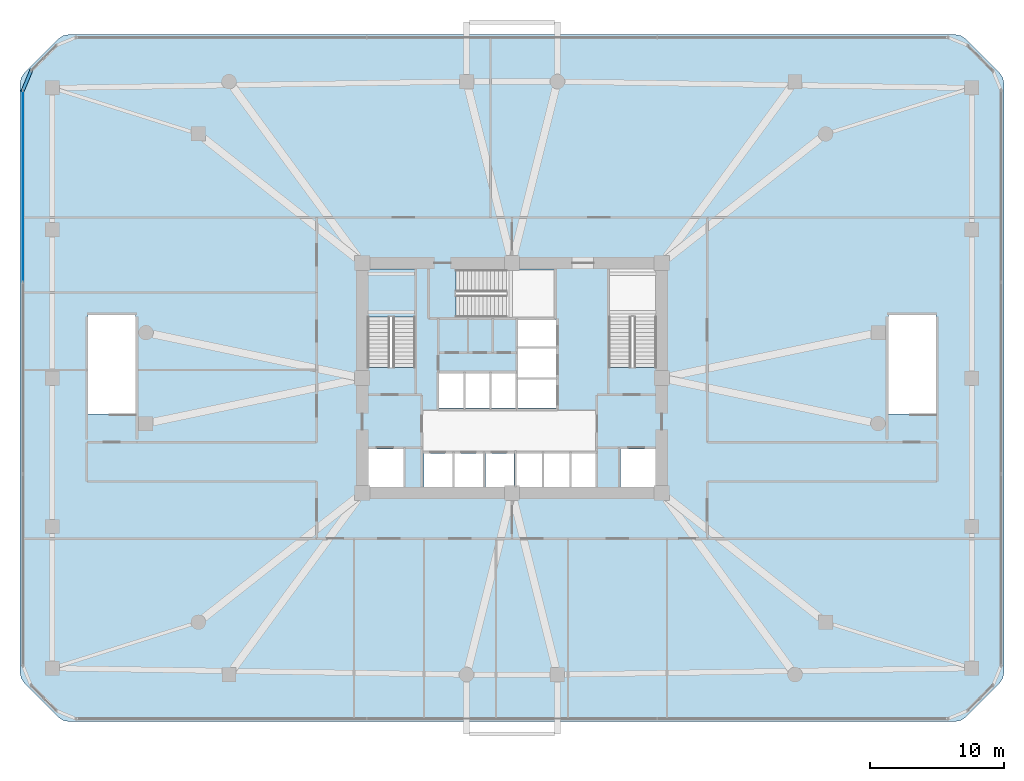
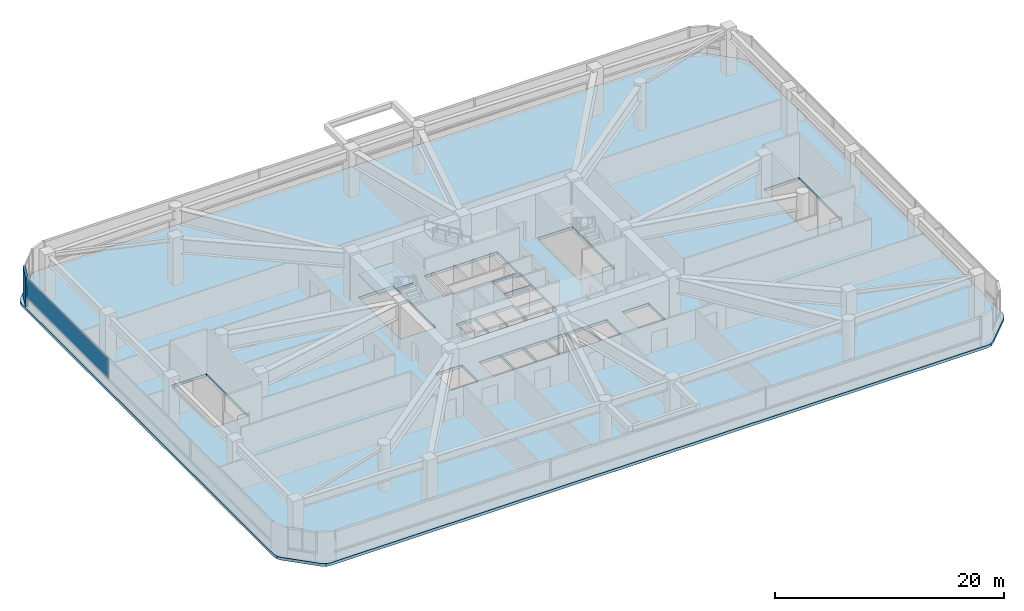
# One storey, part 13 of 21: 2 plates, 2 slabs, 2 elements without a shape of their own.
"""IFC4 building model written with IfcOpenShell, lengths in metres."""

from ifc_helpers import new_model, si_unit, derived_unit, direction, frame, origin, origin_2d, place, context, subcontext, project, spatial, polyline, rectangle, outline, extrude, material, layer, layer_set, type_object, element, aggregate, save


model = new_model("IFC4")

# Units and contexts
model_context = context("Model", 3, precision=1e-05, world=origin(), true_north=direction((0.0, 1.0)))
body_context = subcontext(model_context, "Body", "Model", "MODEL_VIEW")
ifc_project = project(units=[si_unit("LENGTHUNIT", "METRE"), si_unit("AREAUNIT", "SQUARE_METRE"), si_unit("VOLUMEUNIT", "CUBIC_METRE"), si_unit("PLANEANGLEUNIT", "RADIAN"), si_unit("MASSUNIT", "GRAM", prefix="KILO"), derived_unit("THERMALTRANSMITTANCEUNIT", [(si_unit("POWERUNIT", "WATT"), 1), (si_unit("LENGTHUNIT", "METRE"), -2), (si_unit("THERMODYNAMICTEMPERATUREUNIT", "KELVIN"), -1)])], contexts=[model_context])

# Site, building, storey
site_placement = place(None, origin())
site = spatial("IfcSite", under=ifc_project, at=site_placement, CompositionType="ELEMENT")
building_placement = place(site_placement, origin())
building = spatial("IfcBuilding", under=site, at=building_placement, Name="Koralith Skygarden Medical Center", CompositionType="ELEMENT")
storey_placement = place(building_placement, frame((0.0, 0.0, 18.89990234375)))
storey = spatial("IfcBuildingStorey", under=building, at=storey_placement, Name="L04", CompositionType="ELEMENT", Elevation=18.89990234375)

# Curtain wall, plate
ifc_material_1 = material(Name="Clear Laminated Glass", Category="glass")
curtain_wall_type = type_object("IfcCurtainWallType", Name="CW-1 Transit & Podium Acoustic Curtain Wall", PredefinedType="NOTDEFINED", material=ifc_material_1)
curtain_wall_placement = place(storey_placement, origin())
curtain_wall = element("IfcCurtainWall", 1, at=curtain_wall_placement, inside=storey, type_object=curtain_wall_type, Name="Curtain Wall CW-L04-W", PredefinedType="NOTDEFINED")
ifc_layer_1 = layer(ifc_material_1, 0.030029296875)
ifc_layer_set_1 = layer_set([ifc_layer_1], Name="Clear Laminated Glass")
plate_type_1 = type_object("IfcPlateType", Name="CW-1 Hurricane Laminated IGU Panel 30", PredefinedType="CURTAIN_PANEL", material=ifc_layer_set_1)
plate_1_placement = place(storey_placement, frame((0.419921875, 40.2470703125, 0.919921875), z_axis=(0.0, 0.0, 1.0), x_axis=(0.0, -1.0, 0.0)))
plate_1 = element("IfcPlate", 2, at=plate_1_placement, type_object=plate_type_1, Name="CW-L04-W Glazed Panel 1", PredefinedType="CURTAIN_PANEL", context=body_context, shape_type="SweptSolid", body=[
    extrude(rectangle(XDim=14.257080078125, YDim=0.030029296875, at=origin_2d()), origin(), (0.0, 0.0, 1.0), 2.159912109375),
])
aggregate(curtain_wall, [plate_1])

# Stair, slab
ifc_material_2 = material(Name="Concrete C45/55", Category="concrete")
stair_type = type_object("IfcStairType", Name="Core Exit Dogleg Concrete Stair", PredefinedType="HALF_TURN_STAIR", material=ifc_material_2)
stair_placement = place(storey_placement, origin())
stair = element("IfcStair", 3, at=stair_placement, inside=storey, type_object=stair_type, Name="L04 Smokeproof Exit Stair ST1", PredefinedType="HALF_TURN_STAIR")
ifc_layer_2 = layer(ifc_material_2, 0.199951171875)
ifc_layer_set_2 = layer_set([ifc_layer_2], Name="Concrete C45/55")
slab_type_1 = type_object("IfcSlabType", Name="Core Exit Concrete Stair Landing 200", PredefinedType="LANDING", material=ifc_layer_set_2)
slab_1_placement = place(storey_placement, frame((0.0, 0.0, 2.320068359375)))
slab_1 = element("IfcSlab", 4, at=slab_1_placement, type_object=slab_type_1, Name="ST1 landing 1", PredefinedType="LANDING", context=body_context, shape_type="SweptSolid", body=[
    extrude(outline(polyline([(29.75, 30.469970703125), (29.75, 34.050048828125), (26.199951171875, 34.050048828125), (26.199951171875, 30.469970703125), (29.75, 30.469970703125)])), origin(), (0.0, 0.0, 1.0), 0.199951171875),
])
aggregate(stair, [slab_1])

# Slab
ifc_layer_3 = layer(ifc_material_2, 0.300048828125)
ifc_layer_set_3 = layer_set([ifc_layer_3], Name="Concrete C45/55")
slab_type_2 = type_object("IfcSlabType", Name="Podium & Diagnostic Stiffened Slab 300", PredefinedType="FLOOR", material=ifc_layer_set_3)
slab_2_placement = place(storey_placement, frame((0.0, 0.0, -0.2998046875)))
element("IfcSlab", 5, at=slab_2_placement, inside=storey, type_object=slab_type_2, Name="Level L04 Structural Floor Slab", PredefinedType="FLOOR", context=body_context, shape_type="SweptSolid", body=[
    extrude(outline(polyline([(3.049072265625, 0.551025390625), (3.43798828125, 0.291015625), (3.89697265625, 0.199951171875), (70.10302734375, 0.199951171875), (70.56201171875, 0.291015625), (70.950927734375, 0.551025390625), (73.448974609375, 3.049072265625), (73.708984375, 3.43798828125), (73.800048828125, 3.89697265625), (73.800048828125, 47.903076171875), (73.708984375, 48.362060546875), (73.448974609375, 48.7509765625), (70.950927734375, 51.2490234375), (70.56201171875, 51.509033203125), (70.10302734375, 51.60009765625), (3.89697265625, 51.60009765625), (3.43798828125, 51.509033203125), (3.049072265625, 51.2490234375), (0.551025390625, 48.7509765625), (0.291015625, 48.362060546875), (0.199951171875, 47.903076171875), (0.199951171875, 3.89697265625), (0.291015625, 3.43798828125), (0.551025390625, 3.049072265625), (3.049072265625, 0.551025390625)]), holes=[polyline([(26.199951171875, 26.705078125), (29.75, 26.705078125), (29.75, 34.050048828125), (26.199951171875, 34.050048828125), (26.199951171875, 26.705078125)]), polyline([(44.25, 26.705078125), (47.800048828125, 26.705078125), (47.800048828125, 34.050048828125), (44.25, 34.050048828125), (44.25, 26.705078125)]), polyline([(32.804931640625, 30.449951171875), (40.199951171875, 30.449951171875), (40.199951171875, 34.0), (32.804931640625, 34.0), (32.804931640625, 30.449951171875)]), polyline([(5.300048828125, 23.205078125), (8.85009765625, 23.205078125), (8.85009765625, 30.60009765625), (5.300048828125, 30.60009765625), (5.300048828125, 23.205078125)]), polyline([(65.14990234375, 23.205078125), (68.699951171875, 23.205078125), (68.699951171875, 30.60009765625), (65.14990234375, 30.60009765625), (65.14990234375, 23.205078125)]), polyline([(26.25, 17.75), (28.89990234375, 17.75), (28.89990234375, 20.60009765625), (26.25, 20.60009765625), (26.25, 17.75)]), polyline([(45.10009765625, 17.75), (47.75, 17.75), (47.75, 20.60009765625), (45.10009765625, 20.60009765625), (45.10009765625, 17.75)]), polyline([(30.39990234375, 17.75), (32.550048828125, 17.75), (32.550048828125, 20.25), (30.39990234375, 20.25), (30.39990234375, 17.75)]), polyline([(32.699951171875, 17.75), (34.85009765625, 17.75), (34.85009765625, 20.25), (32.699951171875, 20.25), (32.699951171875, 17.75)]), polyline([(35.0, 17.75), (37.14990234375, 17.75), (37.14990234375, 20.25), (35.0, 20.25), (35.0, 17.75)]), polyline([(37.35009765625, 17.75), (39.25, 17.75), (39.25, 20.25), (37.35009765625, 20.25), (37.35009765625, 17.75)]), polyline([(39.39990234375, 17.75), (41.300048828125, 17.75), (41.300048828125, 20.25), (39.39990234375, 20.25), (39.39990234375, 17.75)]), polyline([(41.449951171875, 17.75), (43.300048828125, 17.75), (43.300048828125, 20.25), (41.449951171875, 20.25), (41.449951171875, 17.75)]), polyline([(31.550048828125, 23.64990234375), (33.39990234375, 23.64990234375), (33.39990234375, 26.25), (31.550048828125, 26.25), (31.550048828125, 23.64990234375)]), polyline([(33.5, 23.64990234375), (35.35009765625, 23.64990234375), (35.35009765625, 26.25), (33.5, 26.25), (33.5, 23.64990234375)]), polyline([(35.449951171875, 23.64990234375), (37.300048828125, 23.64990234375), (37.300048828125, 26.25), (35.449951171875, 26.25), (35.449951171875, 23.64990234375)]), polyline([(37.449951171875, 23.64990234375), (40.300048828125, 23.64990234375), (40.300048828125, 25.800048828125), (37.449951171875, 25.800048828125), (37.449951171875, 23.64990234375)]), polyline([(37.449951171875, 25.949951171875), (40.300048828125, 25.949951171875), (40.300048828125, 28.10009765625), (37.449951171875, 28.10009765625), (37.449951171875, 25.949951171875)]), polyline([(37.449951171875, 28.25), (40.300048828125, 28.25), (40.300048828125, 30.25), (37.449951171875, 30.25), (37.449951171875, 28.25)])]), origin(), (0.0, 0.0, 1.0), 0.2998046875),
])

# Plate
ifc_material_3 = material(Name="Warm Oolitic Limestone Cladding", Category="masonry")
ifc_layer_4 = layer(ifc_material_3, 0.239990234375)
ifc_layer_set_4 = layer_set([ifc_layer_4], Name="Warm Oolitic Limestone Cladding")
plate_type_2 = type_object("IfcPlateType", Name="Rounded-Corner Oolitic Limestone Cladding Panel 240", PredefinedType="USERDEFINED", material=ifc_layer_set_4)
plate_2_placement = place(storey_placement, frame((0.719970703125, 48.14697265625, 0.000244140625), z_axis=(0.0, 0.0, 1.0), x_axis=(-0.382670532536, -0.92388487569, 0.0)))
element("IfcPlate", 6, at=plate_2_placement, inside=storey, type_object=plate_type_2, Name="L04 Rounded-Corner Limestone Pier 6", ObjectType="LIMESTONE CLADDING", PredefinedType="USERDEFINED", context=body_context, shape_type="SweptSolid", body=[
    extrude(rectangle(XDim=1.81103515625, YDim=0.239990234375, at=origin_2d()), origin(), (0.0, 0.0, 1.0), 3.14990234375),
])

save(model, "model.ifc")
